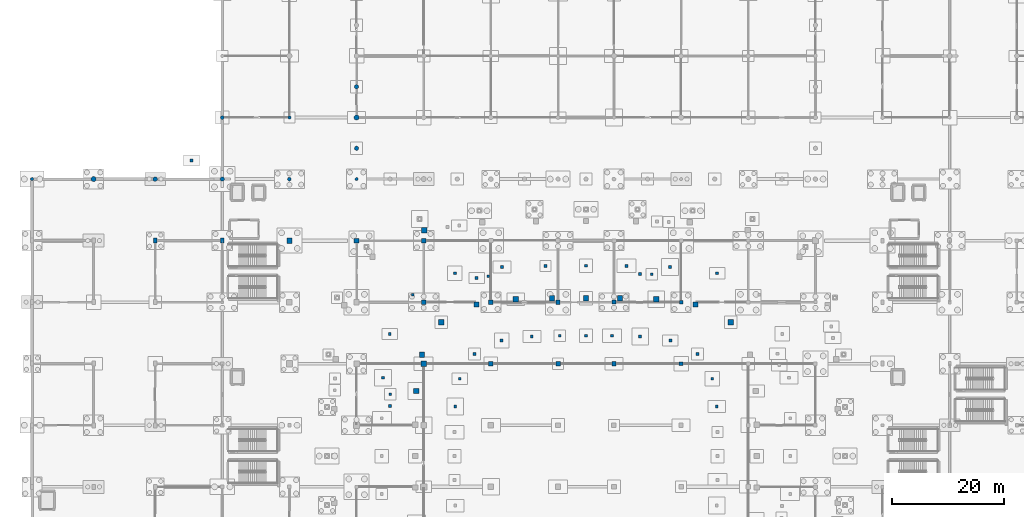
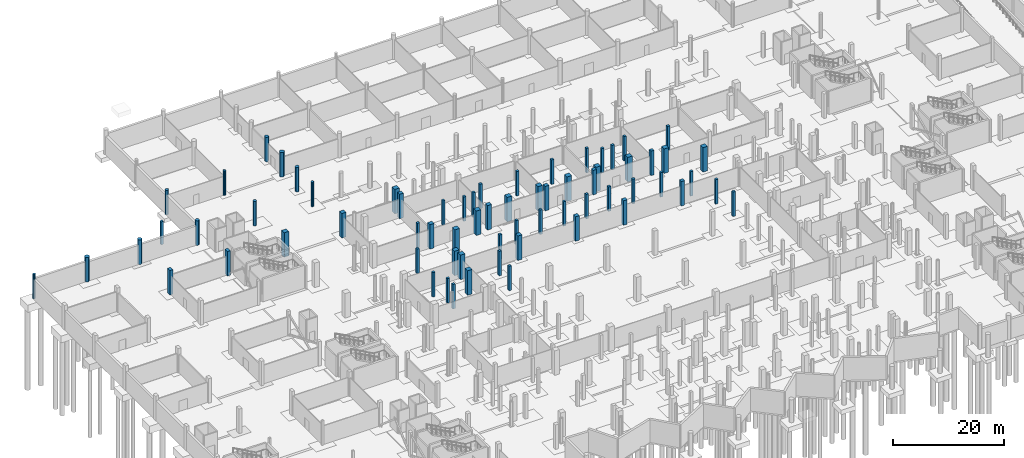
# One storey, part 16 of 60: 68 columns.
"""IFC4 building model written with IfcOpenShell, lengths in metres."""

from ifc_helpers import new_model, si_unit, direction, frame, origin, origin_2d, place, context, subcontext, project, spatial, rectangle, circle, extrude, material, material_profile, profile_set, type_object, element, save


model = new_model("IFC4")

# Units and contexts
model_context = context("Model", 3, precision=1e-05, world=origin(), true_north=direction((0.0, 1.0)))
body_context = subcontext(model_context, "Body", "Model", "MODEL_VIEW")
ifc_project = project(units=[si_unit("LENGTHUNIT", "METRE"), si_unit("AREAUNIT", "SQUARE_METRE"), si_unit("VOLUMEUNIT", "CUBIC_METRE"), si_unit("PLANEANGLEUNIT", "RADIAN"), si_unit("MASSUNIT", "GRAM", prefix="KILO")], contexts=[model_context])

# Site, building, storey
site_placement = place(None, origin())
site = spatial("IfcSite", under=ifc_project, at=site_placement, CompositionType="ELEMENT")
building_placement = place(site_placement, origin())
building = spatial("IfcBuilding", under=site, at=building_placement, Name="Luwafu Chhajja Arena", CompositionType="ELEMENT")
storey_placement = place(building_placement, frame((0.0, 0.0, -5.39990234375)))
storey = spatial("IfcBuildingStorey", under=building, at=storey_placement, Name="B1", CompositionType="ELEMENT", Elevation=-5.39990234375)

# Columns
ifc_material_1 = material(Name="Concrete C40/50", Category="concrete")
ifc_material_profile_1 = material_profile(ifc_material_1, rectangle(XDim=0.949951171875, YDim=0.949951171875, at=origin_2d()), Name="RC 950x950")
ifc_profile_set_1 = profile_set([ifc_material_profile_1], Name="Concrete C40/50")
column_type_1 = type_object("IfcColumnType", Name="Bowl Raker Support Column RC 950", PredefinedType="COLUMN", material=ifc_profile_set_1)
for number, where, z_axis, x_axis, name in (
    (1, (46.0, 88.0, 0.0), (0.0, 0.0, 1.0), (1.0, 0.0, 0.0), "B1 Grid Column 5/J"),
    (2, (70.0, 66.0, 0.0), (0.0, 0.0, 1.0), (1.0, 0.0, 0.0), "B1 Grid Column 7/G"),
    (3, (124.85986328125, 73.409912109375, 0.0), (0.0, 0.0, 1.0), (1.0, 0.0, 0.0), "B1 Upper Bowl Raker Column UI05"),
    (4, (118.57666015625, 76.589111328125, 0.0), (0.0, 0.0, 1.0), (1.0, 0.0, 0.0), "B1 Upper Bowl Raker Column UI06"),
    (5, (111.560302734375, 77.536865234375, 0.0), (0.0, 0.0, 1.0), (1.0, 0.0, 0.0), "B1 Upper Bowl Raker Column UI07"),
    (6, (105.065185546875, 77.6923828125, 0.0), (0.0, 0.0, 1.0), (1.0, 0.0, 0.0), "B1 Upper Bowl Raker Column UI08"),
    (7, (99.0, 77.699951171875, 0.0), (0.0, 0.0, 1.0), (1.0, 0.0, 0.0), "B1 Upper Bowl Raker Column UI09"),
    (8, (92.934814453125, 77.6923828125, 0.0), (0.0, 0.0, 1.0), (1.0, 0.0, 0.0), "B1 Upper Bowl Raker Column UI10"),
    (9, (86.439697265625, 77.536865234375, 0.0), (0.0, 0.0, 1.0), (1.0, 0.0, 0.0), "B1 Upper Bowl Raker Column UI11"),
    (10, (79.42333984375, 76.589111328125, 0.0), (0.0, 0.0, 1.0), (1.0, 0.0, 0.0), "B1 Upper Bowl Raker Column UI12"),
    (11, (73.14013671875, 73.409912109375, 0.0), (0.0, 0.0, 1.0), (1.0, 0.0, 0.0), "B1 Upper Bowl Raker Column UI13"),
    (12, (69.701416015625, 67.600341796875, 0.0), (0.0, 0.0, 1.0), (1.0, 0.0, 0.0), "B1 Upper Bowl Raker Column UI14"),
    (13, (68.676513671875, 61.11328125, 0.0), (0.0, 0.0, 1.0), (1.0, 0.0, 0.0), "B1 Upper Bowl Raker Column UI15"),
    (14, (70.116455078125, 89.845458984375, 0.0), (0.0, 0.0, 1.0), (1.0, 0.0, 0.0), "B1 Upper Bowl Raker Column UO12"),
):
    element("IfcColumn", number, at=place(storey_placement, frame(where, z_axis=z_axis, x_axis=x_axis)), inside=storey, type_object=column_type_1, Name=name, PredefinedType="COLUMN", context=body_context, shape_type="SweptSolid", body=[
        extrude(rectangle(XDim=0.949951171875, YDim=0.949951171875, at=origin_2d()), origin(), (0.0, 0.0, 1.0), 5.39990234375),
    ])
ifc_material_2 = material(Name="Concrete C35/45", Category="concrete")
ifc_material_profile_2 = material_profile(ifc_material_2, circle(Radius=0.375, at=origin_2d()), Name="RC COL D750")
ifc_profile_set_2 = profile_set([ifc_material_profile_2], Name="Concrete C35/45")
column_type_2 = type_object("IfcColumnType", Name="Charbagh Cloister Pier D750", PredefinedType="COLUMN", material=ifc_profile_set_2)
for number, where, z_axis, x_axis, name in (
    (15, (34.0, 99.0, 0.0), (0.0, 0.0, 1.0), (1.0, 0.0, 0.0), "B1 Grid Column 4/K"),
    (16, (58.0, 104.5, 0.0), (0.0, 0.0, 1.0), (1.0, 0.0, 0.0), "B1 Mughal Riwaq Colonnade Pier CHW09"),
    (17, (58.0, 115.5, 0.0), (0.0, 0.0, 1.0), (1.0, 0.0, 0.0), "B1 Mughal Riwaq Colonnade Pier CHW10"),
):
    element("IfcColumn", number, at=place(storey_placement, frame(where, z_axis=z_axis, x_axis=x_axis)), inside=storey, type_object=column_type_2, Name=name, PredefinedType="COLUMN", context=body_context, shape_type="SweptSolid", body=[
        extrude(circle(Radius=0.375, at=origin_2d()), origin(), (0.0, 0.0, 1.0), 5.39990234375),
    ])
ifc_material_profile_3 = material_profile(ifc_material_2, rectangle(XDim=0.85009765625, YDim=0.85009765625, at=origin_2d()), Name="RC 850x850")
ifc_profile_set_3 = profile_set([ifc_material_profile_3], Name="Concrete C35/45")
column_type_3 = type_object("IfcColumnType", Name="Concourse Heavy Column RC 850", PredefinedType="COLUMN", material=ifc_profile_set_3)
for number, where, z_axis, x_axis, name in (
    (18, (58.0, 88.0, 0.0), (0.0, 0.0, 1.0), (1.0, 0.0, 0.0), "B1 Grid Column 6/J"),
    (19, (70.0, 77.0, 0.0), (0.0, 0.0, 1.0), (1.0, 0.0, 0.0), "B1 Grid Column 7/H"),
    (20, (82.0, 66.0, 0.0), (0.0, 0.0, 1.0), (1.0, 0.0, 0.0), "B1 Grid Column 8/G"),
):
    element("IfcColumn", number, at=place(storey_placement, frame(where, z_axis=z_axis, x_axis=x_axis)), inside=storey, type_object=column_type_3, Name=name, PredefinedType="COLUMN", context=body_context, shape_type="SweptSolid", body=[
        extrude(rectangle(XDim=0.85009765625, YDim=0.85009765625, at=origin_2d()), origin(), (0.0, 0.0, 1.0), 5.39990234375),
    ])
ifc_material_profile_4 = material_profile(ifc_material_2, rectangle(XDim=0.800048828125, YDim=0.800048828125, at=origin_2d()), Name="RC 800x800")
ifc_profile_set_4 = profile_set([ifc_material_profile_4], Name="Concrete C35/45")
column_type_4 = type_object("IfcColumnType", Name="Concourse Standard Column RC 800", PredefinedType="COLUMN", material=ifc_profile_set_4)
for number, where, z_axis, x_axis, name in (
    (21, (70.0, 88.0, 0.0), (0.0, 0.0, 1.0), (1.0, 0.0, 0.0), "B1 Grid Column 7/J"),
    (22, (82.0, 77.0, 0.0), (0.0, 0.0, 1.0), (1.0, 0.0, 0.0), "B1 Grid Column 8/H"),
    (23, (94.0, 66.0, 0.0), (0.0, 0.0, 1.0), (1.0, 0.0, 0.0), "B1 Grid Column 9/G"),
):
    element("IfcColumn", number, at=place(storey_placement, frame(where, z_axis=z_axis, x_axis=x_axis)), inside=storey, type_object=column_type_4, Name=name, PredefinedType="COLUMN", context=body_context, shape_type="SweptSolid", body=[
        extrude(rectangle(XDim=0.800048828125, YDim=0.800048828125, at=origin_2d()), origin(), (0.0, 0.0, 1.0), 5.39990234375),
    ])
ifc_material_profile_5 = material_profile(ifc_material_2, circle(Radius=0.324951171875, at=origin_2d()), Name="RC COL D650")
ifc_profile_set_5 = profile_set([ifc_material_profile_5], Name="Concrete C35/45")
column_type_5 = type_object("IfcColumnType", Name="Courtyard Arcade Pier D650", PredefinedType="COLUMN", material=ifc_profile_set_5)
for number, where, z_axis, x_axis, name in (
    (24, (34.0, 110.0, 0.0), (0.0, 0.0, 1.0), (1.0, 0.0, 0.0), "B1 Grid Column 4/L"),
    (25, (46.0, 99.0, 0.0), (0.0, 0.0, 1.0), (1.0, 0.0, 0.0), "B1 Grid Column 5/K"),
):
    element("IfcColumn", number, at=place(storey_placement, frame(where, z_axis=z_axis, x_axis=x_axis)), inside=storey, type_object=column_type_5, Name=name, PredefinedType="COLUMN", context=body_context, shape_type="SweptSolid", body=[
        extrude(circle(Radius=0.324951171875, at=origin_2d()), origin(), (0.0, 0.0, 1.0), 5.39990234375),
    ])
ifc_material_profile_6 = material_profile(ifc_material_1, circle(Radius=0.39990234375, at=origin_2d()), Name="RC COL D800")
ifc_profile_set_6 = profile_set([ifc_material_profile_6], Name="Concrete C40/50")
column_type_6 = type_object("IfcColumnType", Name="Foyer Rotunda Pier D800", PredefinedType="COLUMN", material=ifc_profile_set_6)
column_1_placement = place(storey_placement, frame((22.0, 99.0, 0.0), z_axis=(0.0, 0.0, 1.0), x_axis=(1.0, 0.0, 0.0)))
element("IfcColumn", 26, at=column_1_placement, inside=storey, type_object=column_type_6, Name="B1 Grid Column 3/K", PredefinedType="COLUMN", context=body_context, shape_type="SweptSolid", body=[
    extrude(circle(Radius=0.39990234375, at=origin_2d()), origin(), (0.0, 0.0, 1.0), 5.39990234375),
])
ifc_material_profile_7 = material_profile(ifc_material_2, rectangle(XDim=0.75, YDim=0.75, at=origin_2d()), Name="RC 750x750")
ifc_profile_set_7 = profile_set([ifc_material_profile_7], Name="Concrete C35/45")
column_type_7 = type_object("IfcColumnType", Name="Hospitality Ring Column RC 750", PredefinedType="COLUMN", material=ifc_profile_set_7)
for number, where, z_axis, x_axis, name in (
    (27, (94.0, 77.0, 0.0), (0.0, 0.0, 1.0), (1.0, 0.0, 0.0), "B1 Grid Column 9/H"),
    (28, (104.0, 66.0, 0.0), (0.0, 0.0, 1.0), (1.0, 0.0, 0.0), "B1 Grid Column 10/G"),
):
    element("IfcColumn", number, at=place(storey_placement, frame(where, z_axis=z_axis, x_axis=x_axis)), inside=storey, type_object=column_type_7, Name=name, PredefinedType="COLUMN", context=body_context, shape_type="SweptSolid", body=[
        extrude(rectangle(XDim=0.75, YDim=0.75, at=origin_2d()), origin(), (0.0, 0.0, 1.0), 5.39990234375),
    ])
ifc_material_profile_8 = material_profile(ifc_material_1, circle(Radius=0.449951171875, at=origin_2d()), Name="RC COL D900")
ifc_profile_set_8 = profile_set([ifc_material_profile_8], Name="Concrete C40/50")
column_type_8 = type_object("IfcColumnType", Name="Mughal Colonnade Drum Pier D900", PredefinedType="COLUMN", material=ifc_profile_set_8)
for number, where, z_axis, x_axis, name in (
    (29, (11.0, 99.0, 0.0), (0.0, 0.0, 1.0), (1.0, 0.0, 0.0), "B1 Grid Column 2/K"),
    (30, (58.0, 110.0, 0.0), (0.0, 0.0, 1.0), (1.0, 0.0, 0.0), "B1 Grid Column 6/L"),
):
    element("IfcColumn", number, at=place(storey_placement, frame(where, z_axis=z_axis, x_axis=x_axis)), inside=storey, type_object=column_type_8, Name=name, PredefinedType="COLUMN", context=body_context, shape_type="SweptSolid", body=[
        extrude(circle(Radius=0.449951171875, at=origin_2d()), origin(), (0.0, 0.0, 1.0), 5.39990234375),
    ])
ifc_material_profile_9 = material_profile(ifc_material_2, rectangle(XDim=0.5, YDim=0.5, at=origin_2d()), Name="RC 500x500")
ifc_profile_set_9 = profile_set([ifc_material_profile_9], Name="Concrete C35/45")
column_type_9 = type_object("IfcColumnType", Name="Pavilion Column RC 500", PredefinedType="COLUMN", material=ifc_profile_set_9)
for number, where, z_axis, x_axis, name in (
    (31, (122.364013671875, 58.35400390625, 0.0), (0.0, 0.0, 1.0), (1.0, 0.0, 0.0), "B1 Lower Bowl Support Column 03"),
    (32, (121.57421875, 63.2998046875, 0.0), (0.0, 0.0, 1.0), (1.0, 0.0, 0.0), "B1 Lower Bowl Support Column 04"),
    (33, (118.9248046875, 67.72900390625, 0.0), (0.0, 0.0, 1.0), (1.0, 0.0, 0.0), "B1 Lower Bowl Support Column 05"),
    (34, (114.08349609375, 70.153076171875, 0.0), (0.0, 0.0, 1.0), (1.0, 0.0, 0.0), "B1 Lower Bowl Support Column 06"),
    (35, (108.677734375, 70.87548828125, 0.0), (0.0, 0.0, 1.0), (1.0, 0.0, 0.0), "B1 Lower Bowl Support Column 07"),
    (36, (103.673095703125, 70.994140625, 0.0), (0.0, 0.0, 1.0), (1.0, 0.0, 0.0), "B1 Lower Bowl Support Column 08"),
    (37, (99.0, 71.0, 0.0), (0.0, 0.0, 1.0), (1.0, 0.0, 0.0), "B1 Lower Bowl Support Column 09"),
    (38, (94.326904296875, 70.994140625, 0.0), (0.0, 0.0, 1.0), (1.0, 0.0, 0.0), "B1 Lower Bowl Support Column 10"),
    (39, (89.322265625, 70.87548828125, 0.0), (0.0, 0.0, 1.0), (1.0, 0.0, 0.0), "B1 Lower Bowl Support Column 11"),
    (40, (83.91650390625, 70.153076171875, 0.0), (0.0, 0.0, 1.0), (1.0, 0.0, 0.0), "B1 Lower Bowl Support Column 12"),
    (41, (79.0751953125, 67.72900390625, 0.0), (0.0, 0.0, 1.0), (1.0, 0.0, 0.0), "B1 Lower Bowl Support Column 13"),
    (42, (76.42578125, 63.2998046875, 0.0), (0.0, 0.0, 1.0), (1.0, 0.0, 0.0), "B1 Lower Bowl Support Column 14"),
    (43, (75.635986328125, 58.35400390625, 0.0), (0.0, 0.0, 1.0), (1.0, 0.0, 0.0), "B1 Lower Bowl Support Column 15"),
    (44, (122.427734375, 82.16064453125, 0.0), (0.0, 0.0, 1.0), (1.0, 0.0, 0.0), "B1 Lower Bowl Support Column 06"),
    (45, (114.03125, 83.30322265625, 0.0), (0.0, 0.0, 1.0), (1.0, 0.0, 0.0), "B1 Lower Bowl Support Column 07"),
    (46, (106.25830078125, 83.49072265625, 0.0), (0.0, 0.0, 1.0), (1.0, 0.0, 0.0), "B1 Lower Bowl Support Column 08"),
    (47, (99.0, 83.5, 0.0), (0.0, 0.0, 1.0), (1.0, 0.0, 0.0), "B1 Lower Bowl Support Column 09"),
    (48, (91.74169921875, 83.49072265625, 0.0), (0.0, 0.0, 1.0), (1.0, 0.0, 0.0), "B1 Lower Bowl Support Column 10"),
    (49, (83.96875, 83.30322265625, 0.0), (0.0, 0.0, 1.0), (1.0, 0.0, 0.0), "B1 Lower Bowl Support Column 11"),
    (50, (75.572265625, 82.16064453125, 0.0), (0.0, 0.0, 1.0), (1.0, 0.0, 0.0), "B1 Lower Bowl Support Column 12"),
    (51, (68.052978515625, 78.327392578125, 0.0), (0.0, 0.0, 1.0), (1.0, 0.0, 0.0), "B1 Lower Bowl Support Column 13"),
    (52, (63.93798828125, 71.322998046875, 0.0), (0.0, 0.0, 1.0), (1.0, 0.0, 0.0), "B1 Lower Bowl Support Column 14"),
    (53, (62.711181640625, 63.501708984375, 0.0), (0.0, 0.0, 1.0), (1.0, 0.0, 0.0), "B1 Lower Bowl Support Column 15"),
):
    element("IfcColumn", number, at=place(storey_placement, frame(where, z_axis=z_axis, x_axis=x_axis)), inside=storey, type_object=column_type_9, Name=name, PredefinedType="COLUMN", context=body_context, shape_type="SweptSolid", body=[
        extrude(rectangle(XDim=0.5, YDim=0.5, at=origin_2d()), origin(), (0.0, 0.0, 1.0), 5.39990234375),
    ])
column_2_placement = place(storey_placement, frame((28.5, 102.300048828125, 0.0), z_axis=(0.0, 0.0, 1.0), x_axis=(1.0, 0.0, 0.0)))
element("IfcColumn", 54, at=column_2_placement, inside=storey, type_object=column_type_9, Name="B1 Exit Apron Plinth Pier NWC-1", PredefinedType="COLUMN", context=body_context, shape_type="SweptSolid", body=[
    extrude(rectangle(XDim=0.5, YDim=0.5, at=origin_2d()), origin(), (0.0, 0.0, 1.0), 5.0498046875),
])
for number, where, z_axis, x_axis, name in (
    (55, (110.74169921875, 81.994140625, 0.0), (0.0, 0.0, 1.0), (1.0, 0.0, 0.0), "B1 Vomitory Stack Column VL07A"),
    (56, (108.64208984375, 82.044921875, 0.0), (0.0, 0.0, 1.0), (1.0, 0.0, 0.0), "B1 Vomitory Stack Column VL07B"),
    (57, (81.537109375, 81.618408203125, 0.0), (0.0, 0.0, 1.0), (1.0, 0.0, 0.0), "B1 Vomitory Stack Column VL11A"),
    (58, (79.456298828125, 81.335205078125, 0.0), (0.0, 0.0, 1.0), (1.0, 0.0, 0.0), "B1 Vomitory Stack Column VL11B"),
    (59, (64.0341796875, 60.533203125, 0.0), (0.0, 0.0, 1.0), (1.0, 0.0, 0.0), "B1 Vomitory Stack Column VL15A"),
    (60, (63.9755859375, 58.43408203125, 0.0), (0.0, 0.0, 1.0), (1.0, 0.0, 0.0), "B1 Vomitory Stack Column VL15B"),
):
    element("IfcColumn", number, at=place(storey_placement, frame(where, z_axis=z_axis, x_axis=x_axis)), inside=storey, type_object=column_type_9, Name=name, PredefinedType="COLUMN", context=body_context, shape_type="SweptSolid", body=[
        extrude(rectangle(XDim=0.5, YDim=0.5, at=origin_2d()), origin(), (0.0, 0.0, 1.0), 5.39990234375),
    ])
ifc_material_profile_10 = material_profile(ifc_material_2, circle(Radius=0.27490234375, at=origin_2d()), Name="RC COL D550")
ifc_profile_set_10 = profile_set([ifc_material_profile_10], Name="Concrete C35/45")
column_type_10 = type_object("IfcColumnType", Name="Terrace Loggia Pier D550", PredefinedType="COLUMN", material=ifc_profile_set_10)
for number, where, z_axis, x_axis, name in (
    (61, (0.0, 99.0, 0.0), (0.0, 0.0, 1.0), (1.0, 0.0, 0.0), "B1 Grid Column 1/K"),
    (62, (46.0, 110.0, 0.0), (0.0, 0.0, 1.0), (1.0, 0.0, 0.0), "B1 Grid Column 5/L"),
    (63, (58.0, 99.0, 0.0), (0.0, 0.0, 1.0), (1.0, 0.0, 0.0), "B1 Grid Column 6/K"),
):
    element("IfcColumn", number, at=place(storey_placement, frame(where, z_axis=z_axis, x_axis=x_axis)), inside=storey, type_object=column_type_10, Name=name, PredefinedType="COLUMN", context=body_context, shape_type="SweptSolid", body=[
        extrude(circle(Radius=0.27490234375, at=origin_2d()), origin(), (0.0, 0.0, 1.0), 5.39990234375),
    ])
ifc_material_profile_11 = material_profile(ifc_material_2, rectangle(XDim=0.64990234375, YDim=0.64990234375, at=origin_2d()), Name="RC 650x650")
ifc_profile_set_11 = profile_set([ifc_material_profile_11], Name="Concrete C35/45")
column_type_11 = type_object("IfcColumnType", Name="Upper Wing Column RC 650", PredefinedType="COLUMN", material=ifc_profile_set_11)
column_3_placement = place(storey_placement, frame((116.0, 77.0, 0.0), z_axis=(0.0, 0.0, 1.0), x_axis=(1.0, 0.0, 0.0)))
element("IfcColumn", 64, at=column_3_placement, inside=storey, type_object=column_type_11, Name="B1 Grid Column 11/H", PredefinedType="COLUMN", context=body_context, shape_type="SweptSolid", body=[
    extrude(rectangle(XDim=0.64990234375, YDim=0.64990234375, at=origin_2d()), origin(), (0.0, 0.0, 1.0), 5.39990234375),
])
ifc_material_profile_12 = material_profile(ifc_material_1, rectangle(XDim=0.60009765625, YDim=0.89990234375, at=origin_2d()), Name="RC 600x900")
ifc_profile_set_12 = profile_set([ifc_material_profile_12], Name="Concrete C40/50")
column_type_12 = type_object("IfcColumnType", Name="Warm-Up Hall Portal Column RC 600x900", PredefinedType="COLUMN", material=ifc_profile_set_12)
for number, where, z_axis, x_axis, name in (
    (65, (22.0, 88.0, 0.0), (0.0, 0.0, 1.0), (1.0, 0.0, 0.0), "B1 Grid Column 3/J"),
    (66, (34.0, 88.0, 0.0), (0.0, 0.0, 1.0), (1.0, 0.0, 0.0), "B1 Grid Column 4/J"),
):
    element("IfcColumn", number, at=place(storey_placement, frame(where, z_axis=z_axis, x_axis=x_axis)), inside=storey, type_object=column_type_12, Name=name, PredefinedType="COLUMN", context=body_context, shape_type="SweptSolid", body=[
        extrude(rectangle(XDim=0.60009765625, YDim=0.89990234375, at=origin_2d()), origin(), (0.0, 0.0, 1.0), 5.39990234375),
    ])
ifc_material_profile_13 = material_profile(ifc_material_2, rectangle(XDim=0.699951171875, YDim=0.699951171875, at=origin_2d()), Name="RC 700x700")
ifc_profile_set_13 = profile_set([ifc_material_profile_13], Name="Concrete C35/45")
column_type_13 = type_object("IfcColumnType", Name="Wing Frame Column RC 700", PredefinedType="COLUMN", material=ifc_profile_set_13)
for number, where, z_axis, x_axis, name in (
    (67, (104.0, 77.0, 0.0), (0.0, 0.0, 1.0), (1.0, 0.0, 0.0), "B1 Grid Column 10/H"),
    (68, (116.0, 66.0, 0.0), (0.0, 0.0, 1.0), (1.0, 0.0, 0.0), "B1 Grid Column 11/G"),
):
    element("IfcColumn", number, at=place(storey_placement, frame(where, z_axis=z_axis, x_axis=x_axis)), inside=storey, type_object=column_type_13, Name=name, PredefinedType="COLUMN", context=body_context, shape_type="SweptSolid", body=[
        extrude(rectangle(XDim=0.699951171875, YDim=0.699951171875, at=origin_2d()), origin(), (0.0, 0.0, 1.0), 5.39990234375),
    ])

save(model, "model.ifc")
